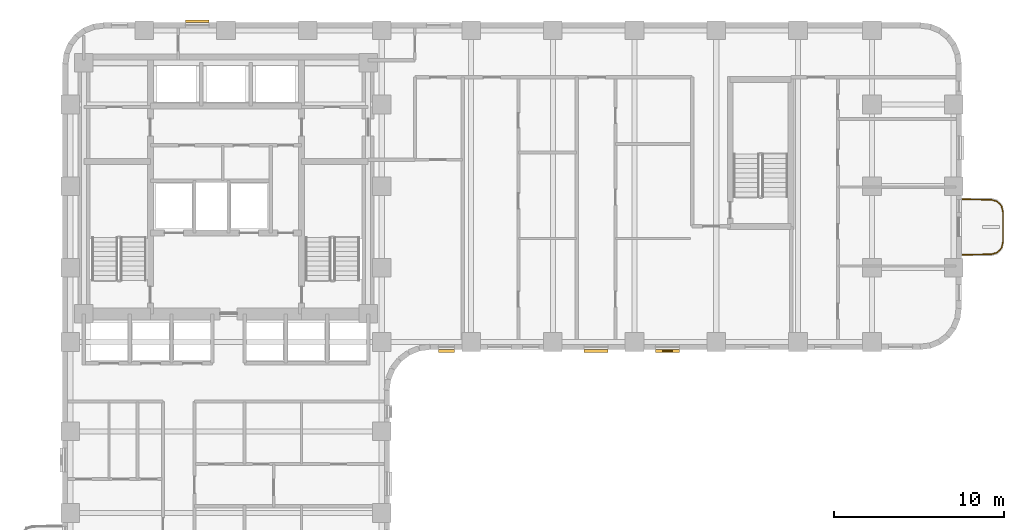
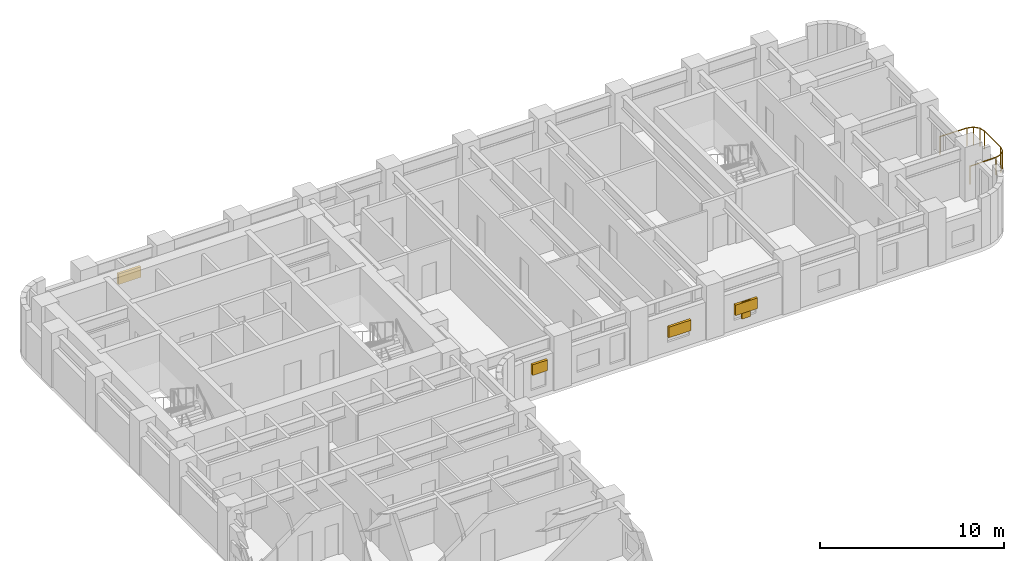
# One storey, part 10 of 11: 5 shading devices, 1 railing.
"""IFC4 building model written with IfcOpenShell, lengths in metres."""

from ifc_helpers import new_model, si_unit, direction, frame, origin, origin_2d, place, context, subcontext, project, spatial, rectangle, extrude, material, type_object, element, save


model = new_model("IFC4")

# Units and contexts
model_context = context("Model", 3, precision=1e-05, world=origin(), true_north=direction((0.0, 1.0)))
body_context = subcontext(model_context, "Body", "Model", "MODEL_VIEW")
ifc_project = project(units=[si_unit("LENGTHUNIT", "METRE"), si_unit("AREAUNIT", "SQUARE_METRE"), si_unit("VOLUMEUNIT", "CUBIC_METRE"), si_unit("PLANEANGLEUNIT", "RADIAN"), si_unit("MASSUNIT", "GRAM", prefix="KILO")], contexts=[model_context])

# Site, building, storey
site_placement = place(None, origin())
site = spatial("IfcSite", under=ifc_project, at=site_placement, CompositionType="ELEMENT")
building_placement = place(site_placement, origin())
building = spatial("IfcBuilding", under=site, at=building_placement, Name="Orvandelia Arch Residences", CompositionType="ELEMENT")
storey_placement = place(building_placement, frame((0.0, 0.0, 93.39990234375)))
storey = spatial("IfcBuildingStorey", under=building, at=storey_placement, Name="L24", CompositionType="ELEMENT", Elevation=93.39990234375)

# Railing
ifc_material_1 = material(Name="Marine-Grade Stainless Steel 316", Category="steel")
railing_type = type_object("IfcRailingType", Name="GRD-BAL-1200", PredefinedType="BALUSTRADE", material=ifc_material_1)
railing_placement = place(storey_placement, frame((57.671875, 34.36962890625, 0.0)))
element("IfcRailing", 1, at=railing_placement, inside=storey, type_object=railing_type, Name="Safety Balustrade Guard GRD-L24-BAL-L24-E1-1", PredefinedType="BALUSTRADE", context=body_context, shape_type="SweptSolid", body=[
    extrude(rectangle(XDim=0.048095703125, YDim=0.048095703125, at=origin_2d()), frame((0.0, 0.0, 1.19580078125), z_axis=(0.999837384468, 0.018033430643, 0.0), x_axis=(-0.018033430643, 0.999837384468, 0.0)), (0.0, 0.0, 1.0), 1.6787109375),
    extrude(rectangle(XDim=0.048095703125, YDim=0.048095703125, at=origin_2d()), frame((1.678466796875, 0.0302734375, 1.19580078125), z_axis=(0.963441293861, 0.267919527627, 0.0), x_axis=(-0.267919527627, 0.963441293861, 0.0)), (0.0, 0.0, 1.0), 0.365478515625),
    extrude(rectangle(XDim=0.048095703125, YDim=0.048095703125, at=origin_2d()), frame((2.030517578125, 0.128173828125, 1.19580078125), z_axis=(0.688296224633, 0.725429739642, 0.0), x_axis=(-0.725429739642, 0.688296224633, 0.0)), (0.0, 0.0, 1.0), 0.3681640625),
    extrude(rectangle(XDim=0.048095703125, YDim=0.048095703125, at=origin_2d()), frame((2.283935546875, 0.395263671875, 1.19580078125), z_axis=(0.221225034864, 0.975222786828, 0.0), x_axis=(-0.975222786828, 0.221225034864, 0.0)), (0.0, 0.0, 1.0), 0.373046875),
    extrude(rectangle(XDim=0.048095703125, YDim=0.048095703125, at=origin_2d()), frame((2.366455078125, 0.759033203125, 1.19580078125), z_axis=(0.0, 1.0, 0.0), x_axis=(-1.0, 0.0, 0.0)), (0.0, 0.0, 1.0), 1.74267578125),
    extrude(rectangle(XDim=0.048095703125, YDim=0.048095703125, at=origin_2d()), frame((2.366455078125, 2.501708984375, 1.19580078125), z_axis=(-0.221225034864, 0.975222786828, 0.0), x_axis=(-0.975222786828, -0.221225034864, 0.0)), (0.0, 0.0, 1.0), 0.373046875),
    extrude(rectangle(XDim=0.048095703125, YDim=0.048095703125, at=origin_2d()), frame((2.283935546875, 2.865478515625, 1.19580078125), z_axis=(-0.688296224633, 0.725429739642, 0.0), x_axis=(-0.725429739642, -0.688296224633, 0.0)), (0.0, 0.0, 1.0), 0.3681640625),
    extrude(rectangle(XDim=0.048095703125, YDim=0.048095703125, at=origin_2d()), frame((2.030517578125, 3.132568359375, 1.19580078125), z_axis=(-0.963441293861, 0.267919527627, 0.0), x_axis=(-0.267919527627, -0.963441293861, 0.0)), (0.0, 0.0, 1.0), 0.365478515625),
    extrude(rectangle(XDim=0.048095703125, YDim=0.048095703125, at=origin_2d()), frame((1.678466796875, 3.23046875, 1.19580078125), z_axis=(-0.999837384468, 0.018033430643, 0.0), x_axis=(-0.018033430643, -0.999837384468, 0.0)), (0.0, 0.0, 1.0), 1.6787109375),
    extrude(rectangle(XDim=0.0419921875, YDim=0.0419921875, at=origin_2d()), origin(), (0.0, 0.0, 1.0), 1.171875),
    extrude(rectangle(XDim=0.0419921875, YDim=0.0419921875, at=origin_2d()), frame((1.678466796875, 0.0302734375, 0.0)), (0.0, 0.0, 1.0), 1.171875),
    extrude(rectangle(XDim=0.0419921875, YDim=0.0419921875, at=origin_2d()), frame((2.030517578125, 0.128173828125, 0.0)), (0.0, 0.0, 1.0), 1.171875),
    extrude(rectangle(XDim=0.0419921875, YDim=0.0419921875, at=origin_2d()), frame((2.283935546875, 0.395263671875, 0.0)), (0.0, 0.0, 1.0), 1.171875),
    extrude(rectangle(XDim=0.0419921875, YDim=0.0419921875, at=origin_2d()), frame((2.366455078125, 0.759033203125, 0.0)), (0.0, 0.0, 1.0), 1.171875),
    extrude(rectangle(XDim=0.0419921875, YDim=0.0419921875, at=origin_2d()), frame((2.366455078125, 2.501708984375, 0.0)), (0.0, 0.0, 1.0), 1.171875),
    extrude(rectangle(XDim=0.0419921875, YDim=0.0419921875, at=origin_2d()), frame((2.283935546875, 2.865478515625, 0.0)), (0.0, 0.0, 1.0), 1.171875),
    extrude(rectangle(XDim=0.0419921875, YDim=0.0419921875, at=origin_2d()), frame((2.030517578125, 3.132568359375, 0.0)), (0.0, 0.0, 1.0), 1.171875),
    extrude(rectangle(XDim=0.0419921875, YDim=0.0419921875, at=origin_2d()), frame((1.678466796875, 3.23046875, 0.0)), (0.0, 0.0, 1.0), 1.171875),
    extrude(rectangle(XDim=0.0419921875, YDim=0.0419921875, at=origin_2d()), frame((0.0, 3.2607421875, 0.0)), (0.0, 0.0, 1.0), 1.171875),
])

# Shading devices
ifc_material_2 = material(Name="Anodised Champagne-Bronze Extruded Aluminium", Category="aluminium")
shading_device_type_1 = type_object("IfcShadingDeviceType", Name="SHD-JALOUSIE-SCREEN", PredefinedType="JALOUSIE", material=ifc_material_2)
for number, where, z_axis, x_axis, name in (
    (2, (12.715087890625, 48.080078125, 1.05029296875), (0.0, 0.0, 1.0), (1.0, 0.0, 0.0), "Bronze Jalousie Sun-Shade L24-001"),
    (3, (40.324951171875, 28.719970703125, 1.05029296875), (0.0, 0.0, 1.0), (-1.0, 0.0, 0.0), "Bronze Jalousie Sun-Shade L24-003"),
):
    element("IfcShadingDevice", number, at=place(storey_placement, frame(where, z_axis=z_axis, x_axis=x_axis)), inside=storey, type_object=shading_device_type_1, Name=name, PredefinedType="JALOUSIE", context=body_context, shape_type="SweptSolid", body=[
        extrude(rectangle(XDim=1.39990234375, YDim=0.159912109375, at=origin_2d()), origin(), (0.0, 0.0, 1.0), 0.699951171875),
    ])
shading_device_1_placement = place(storey_placement, frame((27.344970703125, 28.719970703125, 1.55029296875), z_axis=(0.0, 0.0, 1.0), x_axis=(-1.0, 0.0, 0.0)))
element("IfcShadingDevice", 4, at=shading_device_1_placement, inside=storey, type_object=shading_device_type_1, Name="Bronze Jalousie Sun-Shade L24-004", PredefinedType="JALOUSIE", context=body_context, shape_type="SweptSolid", body=[
    extrude(rectangle(XDim=0.949951171875, YDim=0.159912109375, at=origin_2d()), origin(), (0.0, 0.0, 1.0), 0.699951171875),
])
shading_device_2_placement = place(storey_placement, frame((36.139892578125, 28.719970703125, 1.05029296875), z_axis=(0.0, 0.0, 1.0), x_axis=(-1.0, 0.0, 0.0)))
element("IfcShadingDevice", 5, at=shading_device_2_placement, inside=storey, type_object=shading_device_type_1, Name="Bronze Jalousie Sun-Shade L24-005", PredefinedType="JALOUSIE", context=body_context, shape_type="SweptSolid", body=[
    extrude(rectangle(XDim=1.39990234375, YDim=0.159912109375, at=origin_2d()), origin(), (0.0, 0.0, 1.0), 0.699951171875),
])
ifc_material_3 = material(Name="Marine-Grade Perforated Aluminium Storm Shutter", Category="aluminium")
shading_device_type_2 = type_object("IfcShadingDeviceType", Name="SHD-STORM-SHUTTER", PredefinedType="SHUTTER", material=ifc_material_3)
shading_device_3_placement = place(storey_placement, frame((40.324951171875, 28.719970703125, 0.650146484375), z_axis=(0.0, 0.0, 1.0), x_axis=(-1.0, 0.0, 0.0)))
element("IfcShadingDevice", 6, at=shading_device_3_placement, inside=storey, type_object=shading_device_type_2, Name="Operable Typhoon Storm Shutter L24-003", PredefinedType="SHUTTER", context=body_context, shape_type="SweptSolid", body=[
    extrude(rectangle(XDim=0.550048828125, YDim=0.080078125, at=origin_2d()), origin(), (0.0, 0.0, 1.0), 1.10009765625),
])

save(model, "model.ifc")
